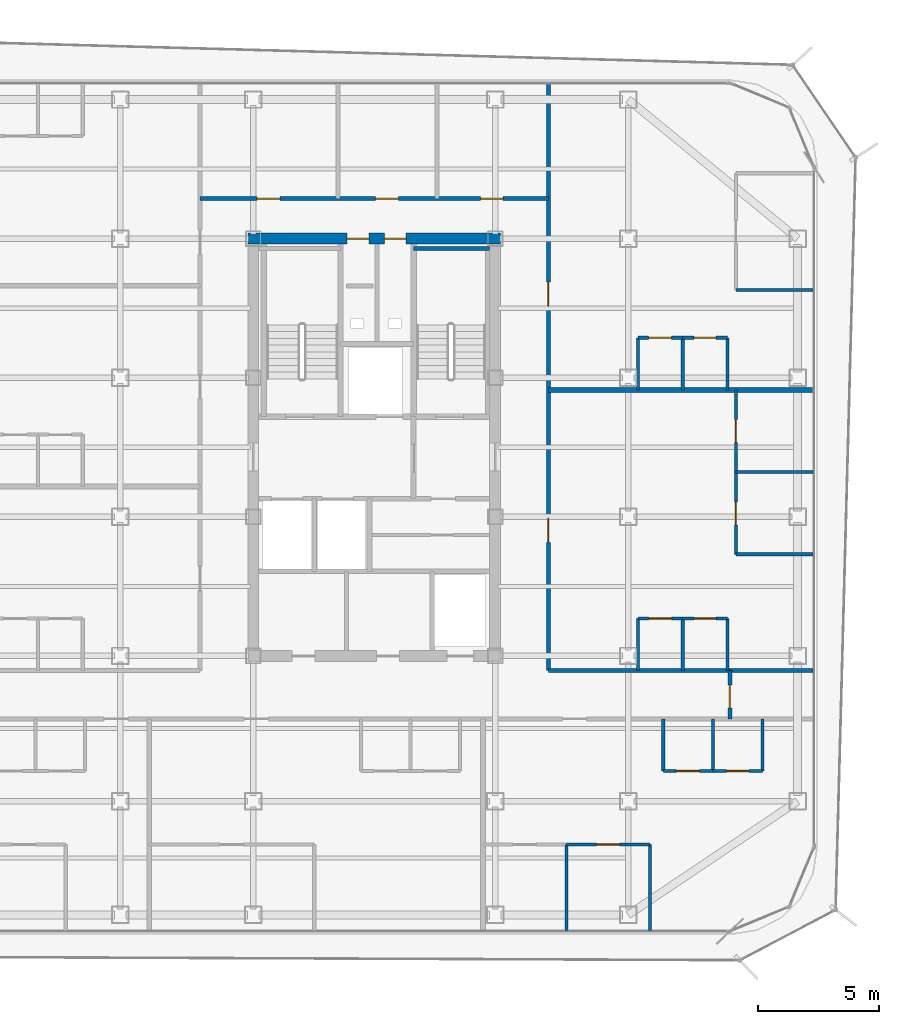
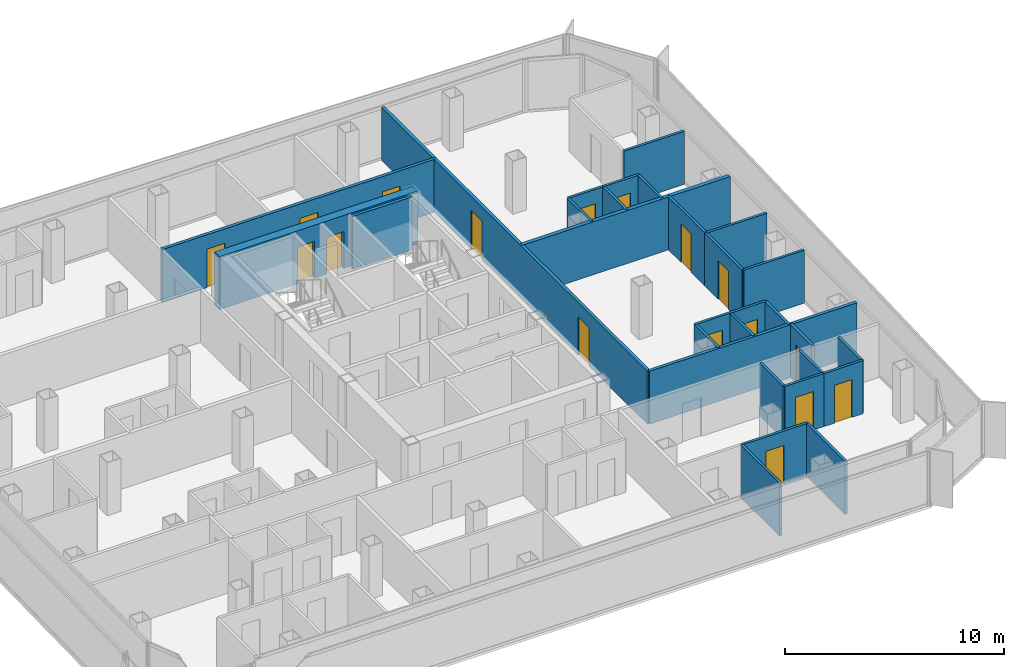
# One storey, part 12 of 16: 31 walls, 17 doors, 17 openings.
"""IFC4 building model written with IfcOpenShell, lengths in metres."""

from ifc_helpers import new_model, si_unit, direction, frame, frame_2d, origin, place, context, subcontext, project, spatial, rectangle, extrude, material, layer, layer_set, type_object, element, fill, save


model = new_model("IFC4")

# Units and contexts
model_context = context("Model", 3, precision=1e-05, world=origin(), true_north=direction((0.0, 1.0)))
body_context = subcontext(model_context, "Body", "Model", "MODEL_VIEW")
ifc_project = project(units=[si_unit("LENGTHUNIT", "METRE"), si_unit("AREAUNIT", "SQUARE_METRE"), si_unit("VOLUMEUNIT", "CUBIC_METRE"), si_unit("PLANEANGLEUNIT", "RADIAN"), si_unit("MASSUNIT", "GRAM", prefix="KILO")], contexts=[model_context])

# Site, building, storey
site_placement = place(None, origin())
site = spatial("IfcSite", under=ifc_project, at=site_placement, CompositionType="ELEMENT")
building_placement = place(site_placement, origin())
building = spatial("IfcBuilding", under=site, at=building_placement, Name="Kolveth Station Tower", CompositionType="ELEMENT")
storey_placement = place(building_placement, frame((0.0, 0.0, 159.300048828125)))
storey = spatial("IfcBuildingStorey", under=building, at=storey_placement, Name="L44", CompositionType="ELEMENT", Elevation=159.300048828125)

# Wall, openings, doors
ifc_material_1 = material(Name="Concrete C50/60", Category="concrete")
ifc_layer_1 = layer(ifc_material_1, 0.449951171875)
ifc_layer_set_1 = layer_set([ifc_layer_1], Name="Concrete C50/60")
wall_type_1 = type_object("IfcWallType", Name="Wall_CW-450", PredefinedType="SHEAR", material=ifc_layer_set_1)
wall_1_placement = place(storey_placement, frame((18.27490234375, 28.75, 0.0), z_axis=(0.0, 0.0, 1.0), x_axis=(1.0, 0.0, 0.0)))
wall_1 = element("IfcWall", 1, at=wall_1_placement, inside=storey, type_object=wall_type_1, Name="L44 Core RC Shear Wall N", PredefinedType="SHEAR", context=body_context, shape_type="SweptSolid", body=[
    extrude(rectangle(XDim=10.4501953125, YDim=0.449951171875, at=frame_2d((5.22509765625, 0.0))), origin(), (0.0, 0.0, 1.0), 2.949951171875),
])
opening_1_placement = place(wall_1_placement, frame((4.10498046875, 0.0, 0.0)))
opening_1 = element("IfcOpeningElement", 2, at=opening_1_placement, cuts=wall_1, Name="Opening RD1", PredefinedType="OPENING", context=body_context, shape_type="SweptSolid", body=[
    extrude(rectangle(XDim=0.89990234375, YDim=2.050048828125, at=frame_2d((0.449951171875, 1.02490234375))), frame((0.0, 0.23486328125, 0.0), z_axis=(0.0, -1.0, 0.0), x_axis=(1.0, 0.0, 0.0)), (0.0, 0.0, 1.0), 0.469970703125),
])
opening_2_placement = place(wall_1_placement, frame((5.64501953125, 0.0, 0.0)))
opening_2 = element("IfcOpeningElement", 3, at=opening_2_placement, cuts=wall_1, Name="Opening RD1", PredefinedType="OPENING", context=body_context, shape_type="SweptSolid", body=[
    extrude(rectangle(XDim=0.89990234375, YDim=2.050048828125, at=frame_2d((0.449951171875, 1.02490234375))), frame((0.0, 0.23486328125, 0.0), z_axis=(0.0, -1.0, 0.0), x_axis=(1.0, 0.0, 0.0)), (0.0, 0.0, 1.0), 0.469970703125),
])
ifc_material_2 = material(Name="Fire-rated Steel S355 riser access leaf", Category="steel")
door_type_1 = type_object("IfcDoorType", Name="Door_RD1", OperationType="NOTDEFINED", PredefinedType="DOOR", material=ifc_material_2)
door_1_placement = place(opening_1_placement, origin())
door_1 = element("IfcDoor", 4, at=door_1_placement, inside=storey, type_object=door_type_1, Name="L44 Electrical Riser Access Door", OperationType="SINGLE_SWING_LEFT", OverallHeight=2.050048828125, OverallWidth=0.89990234375, PredefinedType="DOOR", context=body_context, shape_type="SweptSolid", body=[
    extrude(rectangle(XDim=0.89990234375, YDim=2.050048828125, at=frame_2d((0.449951171875, 1.02490234375))), frame((0.0, 0.02490234375, 0.0), z_axis=(0.0, -1.0, 0.0), x_axis=(1.0, 0.0, 0.0)), (0.0, 0.0, 1.0), 0.050048828125),
])
fill(opening_1, door_1)
door_2_placement = place(opening_2_placement, origin())
door_2 = element("IfcDoor", 5, at=door_2_placement, inside=storey, type_object=door_type_1, Name="L44 Smoke Duct Access Door", OperationType="SINGLE_SWING_RIGHT", OverallHeight=2.050048828125, OverallWidth=0.89990234375, PredefinedType="DOOR", context=body_context, shape_type="SweptSolid", body=[
    extrude(rectangle(XDim=0.89990234375, YDim=2.050048828125, at=frame_2d((0.449951171875, 1.02490234375))), frame((0.0, 0.02490234375, 0.0), z_axis=(0.0, -1.0, 0.0), x_axis=(1.0, 0.0, 0.0)), (0.0, 0.0, 1.0), 0.050048828125),
])
fill(opening_2, door_2)

# Wall, opening, door
ifc_material_3 = material(Name="Moisture-resistant gypsum partition")
ifc_layer_2 = layer(ifc_material_3, 0.135009765625)
ifc_layer_set_2 = layer_set([ifc_layer_2], Name="Moisture-resistant gypsum partition")
wall_type_2 = type_object("IfcWallType", Name="Wall_IW-135", PredefinedType="PARTITIONING", material=ifc_layer_set_2)
wall_2_placement = place(storey_placement, frame((35.449951171875, 6.75, 0.0), z_axis=(0.0, 0.0, 1.0), x_axis=(1.0, 0.0, 0.0)))
wall_2 = element("IfcWall", 6, at=wall_2_placement, inside=storey, type_object=wall_type_2, Name="L44 Partition Wall WL-L44-A3-IBHK", PredefinedType="PARTITIONING", context=body_context, shape_type="SweptSolid", body=[
    extrude(rectangle(XDim=2.050048828125, YDim=0.135009765625, at=frame_2d((1.02490234375, 0.0))), origin(), (0.0, 0.0, 1.0), 2.949951171875),
])
opening_3_placement = place(wall_2_placement, frame((0.544921875, 0.0, 0.0)))
opening_3 = element("IfcOpeningElement", 7, at=opening_3_placement, cuts=wall_2, Name="Opening ID1", PredefinedType="OPENING", context=body_context, shape_type="SweptSolid", body=[
    extrude(rectangle(XDim=0.949951171875, YDim=2.14990234375, at=frame_2d((0.47509765625, 1.074951171875))), frame((0.0, 0.077392578125, 0.0), z_axis=(0.0, -1.0, 0.0), x_axis=(1.0, 0.0, 0.0)), (0.0, 0.0, 1.0), 0.155029296875),
])
ifc_material_4 = material(Name="Acoustic hardwood leaf and aluminium frame", Category="wood")
door_type_2 = type_object("IfcDoorType", Name="Door_ID1", OperationType="NOTDEFINED", PredefinedType="DOOR", material=ifc_material_4)
door_3_placement = place(opening_3_placement, origin())
door_3 = element("IfcDoor", 8, at=door_3_placement, inside=storey, type_object=door_type_2, Name="Penthouse Flat L44-A3 Kitchen Door", OperationType="SINGLE_SWING_RIGHT", OverallHeight=2.14990234375, OverallWidth=0.949951171875, PredefinedType="DOOR", context=body_context, shape_type="SweptSolid", body=[
    extrude(rectangle(XDim=0.949951171875, YDim=2.14990234375, at=frame_2d((0.47509765625, 1.074951171875))), frame((0.0, 0.02490234375, 0.0), z_axis=(0.0, -1.0, 0.0), x_axis=(1.0, 0.0, 0.0)), (0.0, 0.0, 1.0), 0.050048828125),
])
fill(opening_3, door_3)

wall_3_placement = place(storey_placement, frame((37.5, 6.75, 0.0), z_axis=(0.0, 0.0, 1.0), x_axis=(1.0, 0.0, 0.0)))
wall_3 = element("IfcWall", 9, at=wall_3_placement, inside=storey, type_object=wall_type_2, Name="L44 Partition Wall WL-L44-A3-IBHB", PredefinedType="PARTITIONING", context=body_context, shape_type="SweptSolid", body=[
    extrude(rectangle(XDim=2.050048828125, YDim=0.135009765625, at=frame_2d((1.02490234375, 0.0))), origin(), (0.0, 0.0, 1.0), 2.949951171875),
])
opening_4_placement = place(wall_3_placement, frame((0.56494140625, 0.0, 0.0)))
opening_4 = element("IfcOpeningElement", 10, at=opening_4_placement, cuts=wall_3, Name="Opening ID2", PredefinedType="OPENING", context=body_context, shape_type="SweptSolid", body=[
    extrude(rectangle(XDim=0.919921875, YDim=2.10009765625, at=frame_2d((0.4599609375, 1.050048828125))), frame((0.0, 0.077392578125, 0.0), z_axis=(0.0, -1.0, 0.0), x_axis=(1.0, 0.0, 0.0)), (0.0, 0.0, 1.0), 0.155029296875),
])
ifc_material_5 = material(Name="Moisture-resistant hardwood leaf", Category="wood")
door_type_3 = type_object("IfcDoorType", Name="Door_ID2", OperationType="NOTDEFINED", PredefinedType="DOOR", material=ifc_material_5)
door_4_placement = place(opening_4_placement, origin())
door_4 = element("IfcDoor", 11, at=door_4_placement, inside=storey, type_object=door_type_3, Name="Penthouse Flat L44-A3 Bathroom Door", OperationType="SINGLE_SWING_LEFT", OverallHeight=2.10009765625, OverallWidth=0.919921875, PredefinedType="DOOR", context=body_context, shape_type="SweptSolid", body=[
    extrude(rectangle(XDim=0.919921875, YDim=2.10009765625, at=frame_2d((0.4599609375, 1.050048828125))), frame((0.0, 0.02490234375, 0.0), z_axis=(0.0, -1.0, 0.0), x_axis=(1.0, 0.0, 0.0)), (0.0, 0.0, 1.0), 0.050048828125),
])
fill(opening_4, door_4)

# Walls
for number, where, z_axis, x_axis, name in (
    (12, (35.449951171875, 6.75, 0.0), (0.0, 0.0, 1.0), (0.0, 1.0, 0.0), "L44 Partition Wall WL-L44-A3-IBV0"),
    (13, (37.5, 6.75, 0.0), (0.0, 0.0, 1.0), (0.0, 1.0, 0.0), "L44 Partition Wall WL-L44-A3-IBV1"),
    (14, (39.550048828125, 6.75, 0.0), (0.0, 0.0, 1.0), (0.0, 1.0, 0.0), "L44 Partition Wall WL-L44-A3-IBV2"),
):
    element("IfcWall", number, at=place(storey_placement, frame(where, z_axis=z_axis, x_axis=x_axis)), inside=storey, type_object=wall_type_2, Name=name, PredefinedType="PARTITIONING", context=body_context, shape_type="SweptSolid", body=[
        extrude(rectangle(XDim=2.14990234375, YDim=0.135009765625, at=frame_2d((1.074951171875, 0.0))), origin(), (0.0, 0.0, 1.0), 2.949951171875),
    ])
wall_4_placement = place(storey_placement, frame((34.89990234375, 0.159912109375, 0.0), z_axis=(0.0, 0.0, 1.0), x_axis=(0.0, 1.0, 0.0)))
element("IfcWall", 15, at=wall_4_placement, inside=storey, type_object=wall_type_2, Name="L44 Partition Wall WL-L44-A3-BDVE", PredefinedType="PARTITIONING", context=body_context, shape_type="SweptSolid", body=[
    extrude(rectangle(XDim=3.550048828125, YDim=0.135009765625, at=frame_2d((1.77490234375, 0.0))), origin(), (0.0, 0.0, 1.0), 2.949951171875),
])

# Wall, opening, door
wall_5_placement = place(storey_placement, frame((31.449951171875, 3.7099609375, 0.0), z_axis=(0.0, 0.0, 1.0), x_axis=(1.0, 0.0, 0.0)))
wall_5 = element("IfcWall", 16, at=wall_5_placement, inside=storey, type_object=wall_type_2, Name="L44 Partition Wall WL-L44-A3-BDH2", PredefinedType="PARTITIONING", context=body_context, shape_type="SweptSolid", body=[
    extrude(rectangle(XDim=3.449951171875, YDim=0.135009765625, at=frame_2d((1.72509765625, 0.0))), origin(), (0.0, 0.0, 1.0), 2.949951171875),
])
opening_5_placement = place(wall_5_placement, frame((1.2451171875, 0.0, 0.0)))
opening_5 = element("IfcOpeningElement", 17, at=opening_5_placement, cuts=wall_5, Name="Opening ID1", PredefinedType="OPENING", context=body_context, shape_type="SweptSolid", body=[
    extrude(rectangle(XDim=0.949951171875, YDim=2.14990234375, at=frame_2d((0.47509765625, 1.074951171875))), frame((0.0, 0.077392578125, 0.0), z_axis=(0.0, -1.0, 0.0), x_axis=(1.0, 0.0, 0.0)), (0.0, 0.0, 1.0), 0.155029296875),
])
door_5_placement = place(opening_5_placement, frame((0.949951171875, 0.0, 0.0), z_axis=(0.0, 0.0, 1.0), x_axis=(-1.0, 0.0, 0.0)))
door_5 = element("IfcDoor", 18, at=door_5_placement, inside=storey, type_object=door_type_2, Name="Penthouse Flat L44-A3 Bedroom 2 Door", OperationType="SINGLE_SWING_LEFT", OverallHeight=2.14990234375, OverallWidth=0.949951171875, PredefinedType="DOOR", context=body_context, shape_type="SweptSolid", body=[
    extrude(rectangle(XDim=0.949951171875, YDim=2.14990234375, at=frame_2d((0.47509765625, 1.074951171875))), frame((0.0, 0.02490234375, 0.0), z_axis=(0.0, -1.0, 0.0), x_axis=(1.0, 0.0, 0.0)), (0.0, 0.0, 1.0), 0.050048828125),
])
fill(opening_5, door_5)

# Wall
wall_6_placement = place(storey_placement, frame((31.449951171875, 0.159912109375, 0.0), z_axis=(0.0, 0.0, 1.0), x_axis=(0.0, 1.0, 0.0)))
element("IfcWall", 19, at=wall_6_placement, inside=storey, type_object=wall_type_2, Name="L44 Partition Wall WL-L44-A3-BDV1", PredefinedType="PARTITIONING", context=body_context, shape_type="SweptSolid", body=[
    extrude(rectangle(XDim=3.550048828125, YDim=0.135009765625, at=frame_2d((1.77490234375, 0.0))), origin(), (0.0, 0.0, 1.0), 2.949951171875),
])

# Wall, opening, door
wall_7_placement = place(storey_placement, frame((34.39990234375, 13.050048828125, 0.0), z_axis=(0.0, 0.0, 1.0), x_axis=(1.0, 0.0, 0.0)))
wall_7 = element("IfcWall", 20, at=wall_7_placement, inside=storey, type_object=wall_type_2, Name="L44 Partition Wall WL-L44-E1-IBHK", PredefinedType="PARTITIONING", context=body_context, shape_type="SweptSolid", body=[
    extrude(rectangle(XDim=1.85009765625, YDim=0.135009765625, at=frame_2d((0.925048828125, 0.0))), origin(), (0.0, 0.0, 1.0), 2.949951171875),
])
opening_6_placement = place(wall_7_placement, frame((0.445068359375, 0.0, 0.0)))
opening_6 = element("IfcOpeningElement", 21, at=opening_6_placement, cuts=wall_7, Name="Opening ID1", PredefinedType="OPENING", context=body_context, shape_type="SweptSolid", body=[
    extrude(rectangle(XDim=0.949951171875, YDim=2.14990234375, at=frame_2d((0.47509765625, 1.074951171875))), frame((0.0, 0.077392578125, 0.0), z_axis=(0.0, -1.0, 0.0), x_axis=(1.0, 0.0, 0.0)), (0.0, 0.0, 1.0), 0.155029296875),
])
door_6_placement = place(opening_6_placement, origin())
door_6 = element("IfcDoor", 22, at=door_6_placement, inside=storey, type_object=door_type_2, Name="Penthouse Flat L44-E1 Kitchen Door", OperationType="SINGLE_SWING_LEFT", OverallHeight=2.14990234375, OverallWidth=0.949951171875, PredefinedType="DOOR", context=body_context, shape_type="SweptSolid", body=[
    extrude(rectangle(XDim=0.949951171875, YDim=2.14990234375, at=frame_2d((0.47509765625, 1.074951171875))), frame((0.0, 0.02490234375, 0.0), z_axis=(0.0, -1.0, 0.0), x_axis=(1.0, 0.0, 0.0)), (0.0, 0.0, 1.0), 0.050048828125),
])
fill(opening_6, door_6)

wall_8_placement = place(storey_placement, frame((36.25, 13.050048828125, 0.0), z_axis=(0.0, 0.0, 1.0), x_axis=(1.0, 0.0, 0.0)))
wall_8 = element("IfcWall", 23, at=wall_8_placement, inside=storey, type_object=wall_type_2, Name="L44 Partition Wall WL-L44-E1-IBHB", PredefinedType="PARTITIONING", context=body_context, shape_type="SweptSolid", body=[
    extrude(rectangle(XDim=1.85009765625, YDim=0.135009765625, at=frame_2d((0.925048828125, 0.0))), origin(), (0.0, 0.0, 1.0), 2.949951171875),
])
opening_7_placement = place(wall_8_placement, frame((0.465087890625, 0.0, 0.0)))
opening_7 = element("IfcOpeningElement", 24, at=opening_7_placement, cuts=wall_8, Name="Opening ID2", PredefinedType="OPENING", context=body_context, shape_type="SweptSolid", body=[
    extrude(rectangle(XDim=0.919921875, YDim=2.10009765625, at=frame_2d((0.4599609375, 1.050048828125))), frame((0.0, 0.077392578125, 0.0), z_axis=(0.0, -1.0, 0.0), x_axis=(1.0, 0.0, 0.0)), (0.0, 0.0, 1.0), 0.155029296875),
])
door_7_placement = place(opening_7_placement, origin())
door_7 = element("IfcDoor", 25, at=door_7_placement, inside=storey, type_object=door_type_3, Name="Penthouse Flat L44-E1 Bathroom Door", OperationType="SINGLE_SWING_RIGHT", OverallHeight=2.10009765625, OverallWidth=0.919921875, PredefinedType="DOOR", context=body_context, shape_type="SweptSolid", body=[
    extrude(rectangle(XDim=0.919921875, YDim=2.10009765625, at=frame_2d((0.4599609375, 1.050048828125))), frame((0.0, 0.02490234375, 0.0), z_axis=(0.0, -1.0, 0.0), x_axis=(1.0, 0.0, 0.0)), (0.0, 0.0, 1.0), 0.050048828125),
])
fill(opening_7, door_7)

# Walls
for number, where, z_axis, x_axis, name in (
    (26, (34.39990234375, 10.89990234375, 0.0), (0.0, 0.0, 1.0), (0.0, 1.0, 0.0), "L44 Partition Wall WL-L44-E1-IBV0"),
    (27, (36.25, 10.89990234375, 0.0), (0.0, 0.0, 1.0), (0.0, 1.0, 0.0), "L44 Partition Wall WL-L44-E1-IBV1"),
    (28, (38.10009765625, 10.89990234375, 0.0), (0.0, 0.0, 1.0), (0.0, 1.0, 0.0), "L44 Partition Wall WL-L44-E1-IBV2"),
):
    element("IfcWall", number, at=place(storey_placement, frame(where, z_axis=z_axis, x_axis=x_axis)), inside=storey, type_object=wall_type_2, Name=name, PredefinedType="PARTITIONING", context=body_context, shape_type="SweptSolid", body=[
        extrude(rectangle(XDim=2.150146484375, YDim=0.135009765625, at=frame_2d((1.0751953125, 0.0))), origin(), (0.0, 0.0, 1.0), 2.949951171875),
    ])
wall_9_placement = place(storey_placement, frame((38.449951171875, 15.699951171875, 0.0), z_axis=(0.0, 0.0, 1.0), x_axis=(1.0, 0.0, 0.0)))
element("IfcWall", 29, at=wall_9_placement, inside=storey, type_object=wall_type_2, Name="L44 Partition Wall WL-L44-E1-BDH0", PredefinedType="PARTITIONING", context=body_context, shape_type="SweptSolid", body=[
    extrude(rectangle(XDim=3.18994140625, YDim=0.135009765625, at=frame_2d((1.594970703125, 0.0))), origin(), (0.0, 0.0, 1.0), 2.949951171875),
])

# Wall, opening, door
wall_10_placement = place(storey_placement, frame((38.449951171875, 15.699951171875, 0.0), z_axis=(0.0, 0.0, 1.0), x_axis=(0.0, 1.0, 0.0)))
wall_10 = element("IfcWall", 30, at=wall_10_placement, inside=storey, type_object=wall_type_2, Name="L44 Partition Wall WL-L44-E1-BDV1", PredefinedType="PARTITIONING", context=body_context, shape_type="SweptSolid", body=[
    extrude(rectangle(XDim=3.400146484375, YDim=0.135009765625, at=frame_2d((1.7001953125, 0.0))), origin(), (0.0, 0.0, 1.0), 2.949951171875),
])
opening_8_placement = place(wall_10_placement, frame((1.219970703125, 0.0, 0.0)))
opening_8 = element("IfcOpeningElement", 31, at=opening_8_placement, cuts=wall_10, Name="Opening ID1", PredefinedType="OPENING", context=body_context, shape_type="SweptSolid", body=[
    extrude(rectangle(XDim=0.949951171875, YDim=2.14990234375, at=frame_2d((0.47509765625, 1.074951171875))), frame((0.0, 0.077392578125, 0.0), z_axis=(0.0, -1.0, 0.0), x_axis=(1.0, 0.0, 0.0)), (0.0, 0.0, 1.0), 0.155029296875),
])
door_8_placement = place(opening_8_placement, frame((0.949951171875, 0.0, 0.0), z_axis=(0.0, 0.0, 1.0), x_axis=(-1.0, 0.0, 0.0)))
door_8 = element("IfcDoor", 32, at=door_8_placement, inside=storey, type_object=door_type_2, Name="Penthouse Flat L44-E1 Bedroom 1 Door", OperationType="SINGLE_SWING_LEFT", OverallHeight=2.14990234375, OverallWidth=0.949951171875, PredefinedType="DOOR", context=body_context, shape_type="SweptSolid", body=[
    extrude(rectangle(XDim=0.949951171875, YDim=2.14990234375, at=frame_2d((0.47509765625, 1.074951171875))), frame((0.0, 0.02490234375, 0.0), z_axis=(0.0, -1.0, 0.0), x_axis=(1.0, 0.0, 0.0)), (0.0, 0.0, 1.0), 0.050048828125),
])
fill(opening_8, door_8)

wall_11_placement = place(storey_placement, frame((38.449951171875, 19.10009765625, 0.0), z_axis=(0.0, 0.0, 1.0), x_axis=(0.0, 1.0, 0.0)))
wall_11 = element("IfcWall", 33, at=wall_11_placement, inside=storey, type_object=wall_type_2, Name="L44 Partition Wall WL-L44-E1-BDV2", PredefinedType="PARTITIONING", context=body_context, shape_type="SweptSolid", body=[
    extrude(rectangle(XDim=3.39990234375, YDim=0.135009765625, at=frame_2d((1.699951171875, 0.0))), origin(), (0.0, 0.0, 1.0), 2.949951171875),
])
opening_9_placement = place(wall_11_placement, frame((1.219970703125, 0.0, 0.0)))
opening_9 = element("IfcOpeningElement", 34, at=opening_9_placement, cuts=wall_11, Name="Opening ID1", PredefinedType="OPENING", context=body_context, shape_type="SweptSolid", body=[
    extrude(rectangle(XDim=0.949951171875, YDim=2.14990234375, at=frame_2d((0.47509765625, 1.074951171875))), frame((0.0, 0.077392578125, 0.0), z_axis=(0.0, -1.0, 0.0), x_axis=(1.0, 0.0, 0.0)), (0.0, 0.0, 1.0), 0.155029296875),
])
door_9_placement = place(opening_9_placement, frame((0.949951171875, 0.0, 0.0), z_axis=(0.0, 0.0, 1.0), x_axis=(-1.0, 0.0, 0.0)))
door_9 = element("IfcDoor", 35, at=door_9_placement, inside=storey, type_object=door_type_2, Name="Penthouse Flat L44-E1 Bedroom 2 Door", OperationType="SINGLE_SWING_RIGHT", OverallHeight=2.14990234375, OverallWidth=0.949951171875, PredefinedType="DOOR", context=body_context, shape_type="SweptSolid", body=[
    extrude(rectangle(XDim=0.949951171875, YDim=2.14990234375, at=frame_2d((0.47509765625, 1.074951171875))), frame((0.0, 0.02490234375, 0.0), z_axis=(0.0, -1.0, 0.0), x_axis=(1.0, 0.0, 0.0)), (0.0, 0.0, 1.0), 0.050048828125),
])
fill(opening_9, door_9)

# Wall
wall_12_placement = place(storey_placement, frame((38.449951171875, 19.10009765625, 0.0), z_axis=(0.0, 0.0, 1.0), x_axis=(1.0, 0.0, 0.0)))
element("IfcWall", 36, at=wall_12_placement, inside=storey, type_object=wall_type_2, Name="L44 Partition Wall WL-L44-E1-BDH1", PredefinedType="PARTITIONING", context=body_context, shape_type="SweptSolid", body=[
    extrude(rectangle(XDim=3.18994140625, YDim=0.135009765625, at=frame_2d((1.594970703125, 0.0))), origin(), (0.0, 0.0, 1.0), 2.949951171875),
])

# Wall, opening, door
wall_13_placement = place(storey_placement, frame((34.39990234375, 24.64990234375, 0.0), z_axis=(0.0, 0.0, 1.0), x_axis=(1.0, 0.0, 0.0)))
wall_13 = element("IfcWall", 37, at=wall_13_placement, inside=storey, type_object=wall_type_2, Name="L44 Partition Wall WL-L44-E2-IBHK", PredefinedType="PARTITIONING", context=body_context, shape_type="SweptSolid", body=[
    extrude(rectangle(XDim=1.85009765625, YDim=0.135009765625, at=frame_2d((0.925048828125, 0.0))), origin(), (0.0, 0.0, 1.0), 2.949951171875),
])
opening_10_placement = place(wall_13_placement, frame((0.445068359375, 0.0, 0.0)))
opening_10 = element("IfcOpeningElement", 38, at=opening_10_placement, cuts=wall_13, Name="Opening ID1", PredefinedType="OPENING", context=body_context, shape_type="SweptSolid", body=[
    extrude(rectangle(XDim=0.949951171875, YDim=2.14990234375, at=frame_2d((0.47509765625, 1.074951171875))), frame((0.0, 0.077392578125, 0.0), z_axis=(0.0, -1.0, 0.0), x_axis=(1.0, 0.0, 0.0)), (0.0, 0.0, 1.0), 0.155029296875),
])
door_10_placement = place(opening_10_placement, origin())
door_10 = element("IfcDoor", 39, at=door_10_placement, inside=storey, type_object=door_type_2, Name="Penthouse Flat L44-E2 Kitchen Door", OperationType="SINGLE_SWING_LEFT", OverallHeight=2.14990234375, OverallWidth=0.949951171875, PredefinedType="DOOR", context=body_context, shape_type="SweptSolid", body=[
    extrude(rectangle(XDim=0.949951171875, YDim=2.14990234375, at=frame_2d((0.47509765625, 1.074951171875))), frame((0.0, 0.02490234375, 0.0), z_axis=(0.0, -1.0, 0.0), x_axis=(1.0, 0.0, 0.0)), (0.0, 0.0, 1.0), 0.050048828125),
])
fill(opening_10, door_10)

wall_14_placement = place(storey_placement, frame((36.25, 24.64990234375, 0.0), z_axis=(0.0, 0.0, 1.0), x_axis=(1.0, 0.0, 0.0)))
wall_14 = element("IfcWall", 40, at=wall_14_placement, inside=storey, type_object=wall_type_2, Name="L44 Partition Wall WL-L44-E2-IBHB", PredefinedType="PARTITIONING", context=body_context, shape_type="SweptSolid", body=[
    extrude(rectangle(XDim=1.85009765625, YDim=0.135009765625, at=frame_2d((0.925048828125, 0.0))), origin(), (0.0, 0.0, 1.0), 2.949951171875),
])
opening_11_placement = place(wall_14_placement, frame((0.465087890625, 0.0, 0.0)))
opening_11 = element("IfcOpeningElement", 41, at=opening_11_placement, cuts=wall_14, Name="Opening ID2", PredefinedType="OPENING", context=body_context, shape_type="SweptSolid", body=[
    extrude(rectangle(XDim=0.919921875, YDim=2.10009765625, at=frame_2d((0.4599609375, 1.050048828125))), frame((0.0, 0.077392578125, 0.0), z_axis=(0.0, -1.0, 0.0), x_axis=(1.0, 0.0, 0.0)), (0.0, 0.0, 1.0), 0.155029296875),
])
door_11_placement = place(opening_11_placement, origin())
door_11 = element("IfcDoor", 42, at=door_11_placement, inside=storey, type_object=door_type_3, Name="Penthouse Flat L44-E2 Bathroom Door", OperationType="SINGLE_SWING_LEFT", OverallHeight=2.10009765625, OverallWidth=0.919921875, PredefinedType="DOOR", context=body_context, shape_type="SweptSolid", body=[
    extrude(rectangle(XDim=0.919921875, YDim=2.10009765625, at=frame_2d((0.4599609375, 1.050048828125))), frame((0.0, 0.02490234375, 0.0), z_axis=(0.0, -1.0, 0.0), x_axis=(1.0, 0.0, 0.0)), (0.0, 0.0, 1.0), 0.050048828125),
])
fill(opening_11, door_11)

# Walls
for number, where, z_axis, x_axis, name in (
    (43, (34.39990234375, 22.5, 0.0), (0.0, 0.0, 1.0), (0.0, 1.0, 0.0), "L44 Partition Wall WL-L44-E2-IBV0"),
    (44, (36.25, 22.5, 0.0), (0.0, 0.0, 1.0), (0.0, 1.0, 0.0), "L44 Partition Wall WL-L44-E2-IBV1"),
    (45, (38.10009765625, 22.5, 0.0), (0.0, 0.0, 1.0), (0.0, 1.0, 0.0), "L44 Partition Wall WL-L44-E2-IBV2"),
):
    element("IfcWall", number, at=place(storey_placement, frame(where, z_axis=z_axis, x_axis=x_axis)), inside=storey, type_object=wall_type_2, Name=name, PredefinedType="PARTITIONING", context=body_context, shape_type="SweptSolid", body=[
        extrude(rectangle(XDim=2.14990234375, YDim=0.135009765625, at=frame_2d((1.074951171875, 0.0))), origin(), (0.0, 0.0, 1.0), 2.949951171875),
    ])
wall_15_placement = place(storey_placement, frame((38.449951171875, 26.6259765625, 0.0), z_axis=(0.0, 0.0, 1.0), x_axis=(1.0, 0.0, 0.0)))
element("IfcWall", 46, at=wall_15_placement, inside=storey, type_object=wall_type_2, Name="L44 Partition Wall WL-L44-E2-BDH0", PredefinedType="PARTITIONING", context=body_context, shape_type="SweptSolid", body=[
    extrude(rectangle(XDim=3.18994140625, YDim=0.135009765625, at=frame_2d((1.594970703125, 0.0))), origin(), (0.0, 0.0, 1.0), 2.949951171875),
])
ifc_material_6 = material(Name="Acoustic double-stud gypsum partition")
ifc_layer_3 = layer(ifc_material_6, 0.1650390625)
ifc_layer_set_3 = layer_set([ifc_layer_3], Name="Acoustic double-stud gypsum partition")
wall_type_3 = type_object("IfcWallType", Name="Wall_IW-165", PredefinedType="PARTITIONING", material=ifc_layer_set_3)
wall_16_placement = place(storey_placement, frame((25.1298828125, 28.3349609375, 0.0), z_axis=(0.0, 0.0, 1.0), x_axis=(1.0, 0.0, 0.0)))
element("IfcWall", 47, at=wall_16_placement, inside=storey, type_object=wall_type_3, Name="L44 Stair Shaft Wall WL-L44-ST2-N", PredefinedType="PARTITIONING", context=body_context, shape_type="SweptSolid", body=[
    extrude(rectangle(XDim=3.135009765625, YDim=0.1650390625, at=frame_2d((1.5673828125, 0.0))), origin(), (0.0, 0.0, 1.0), 2.949951171875),
])
wall_17_placement = place(storey_placement, frame((30.699951171875, 10.89990234375, 0.0), z_axis=(0.0, 0.0, 1.0), x_axis=(1.0, 0.0, 0.0)))
element("IfcWall", 48, at=wall_17_placement, inside=storey, type_object=wall_type_3, Name="L44 Partition Wall WL-L44-RSET", PredefinedType="PARTITIONING", context=body_context, shape_type="SweptSolid", body=[
    extrude(rectangle(XDim=7.5, YDim=0.1650390625, at=frame_2d((3.75, 0.0))), origin(), (0.0, 0.0, 1.0), 2.949951171875),
])

# Wall, opening, door
wall_18_placement = place(storey_placement, frame((38.199951171875, 8.89990234375, 0.0), z_axis=(0.0, 0.0, 1.0), x_axis=(0.0, 1.0, 0.0)))
wall_18 = element("IfcWall", 49, at=wall_18_placement, inside=storey, type_object=wall_type_3, Name="L44 Partition Wall WL-L44-RSEE", PredefinedType="PARTITIONING", context=body_context, shape_type="SweptSolid", body=[
    extrude(rectangle(XDim=2.0, YDim=0.1650390625, at=frame_2d((1.0, 0.0))), origin(), (0.0, 0.0, 1.0), 2.949951171875),
])
opening_12_placement = place(wall_18_placement, frame((0.449951171875, 0.0, 0.0)))
opening_12 = element("IfcOpeningElement", 50, at=opening_12_placement, cuts=wall_18, Name="Opening ID1", PredefinedType="OPENING", context=body_context, shape_type="SweptSolid", body=[
    extrude(rectangle(XDim=0.949951171875, YDim=2.14990234375, at=frame_2d((0.47509765625, 1.074951171875))), frame((0.0, 0.092529296875, 0.0), z_axis=(0.0, -1.0, 0.0), x_axis=(1.0, 0.0, 0.0)), (0.0, 0.0, 1.0), 0.18505859375),
])
door_12_placement = place(opening_12_placement, origin())
door_12 = element("IfcDoor", 51, at=door_12_placement, inside=storey, type_object=door_type_2, Name="L44 Hobby Study Door", OperationType="SINGLE_SWING_RIGHT", OverallHeight=2.14990234375, OverallWidth=0.949951171875, PredefinedType="DOOR", context=body_context, shape_type="SweptSolid", body=[
    extrude(rectangle(XDim=0.949951171875, YDim=2.14990234375, at=frame_2d((0.47509765625, 1.074951171875))), frame((0.0, 0.02490234375, 0.0), z_axis=(0.0, -1.0, 0.0), x_axis=(1.0, 0.0, 0.0)), (0.0, 0.0, 1.0), 0.050048828125),
])
fill(opening_12, door_12)

# Wall, openings, doors
wall_19_placement = place(storey_placement, frame((16.300048828125, 30.39990234375, 0.0), z_axis=(0.0, 0.0, 1.0), x_axis=(1.0, 0.0, 0.0)))
wall_19 = element("IfcWall", 52, at=wall_19_placement, inside=storey, type_object=wall_type_3, Name="L44 Partition Wall WL-L44-RN", PredefinedType="PARTITIONING", context=body_context, shape_type="SweptSolid", body=[
    extrude(rectangle(XDim=14.39990234375, YDim=0.1650390625, at=frame_2d((7.199951171875, 0.0))), origin(), (0.0, 0.0, 1.0), 2.949951171875),
])
opening_13_placement = place(wall_19_placement, frame((2.35009765625, 0.0, 0.0)))
opening_13 = element("IfcOpeningElement", 53, at=opening_13_placement, cuts=wall_19, Name="Opening ID1", PredefinedType="OPENING", context=body_context, shape_type="SweptSolid", body=[
    extrude(rectangle(XDim=0.949951171875, YDim=2.14990234375, at=frame_2d((0.47509765625, 1.074951171875))), frame((0.0, 0.092529296875, 0.0), z_axis=(0.0, -1.0, 0.0), x_axis=(1.0, 0.0, 0.0)), (0.0, 0.0, 1.0), 0.18505859375),
])
opening_14_placement = place(wall_19_placement, frame((7.25, 0.0, 0.0)))
opening_14 = element("IfcOpeningElement", 54, at=opening_14_placement, cuts=wall_19, Name="Opening ID1", PredefinedType="OPENING", context=body_context, shape_type="SweptSolid", body=[
    extrude(rectangle(XDim=0.949951171875, YDim=2.14990234375, at=frame_2d((0.47509765625, 1.074951171875))), frame((0.0, 0.092529296875, 0.0), z_axis=(0.0, -1.0, 0.0), x_axis=(1.0, 0.0, 0.0)), (0.0, 0.0, 1.0), 0.18505859375),
])
opening_15_placement = place(wall_19_placement, frame((11.60009765625, 0.0, 0.0)))
opening_15 = element("IfcOpeningElement", 55, at=opening_15_placement, cuts=wall_19, Name="Opening ID2", PredefinedType="OPENING", context=body_context, shape_type="SweptSolid", body=[
    extrude(rectangle(XDim=0.919921875, YDim=2.10009765625, at=frame_2d((0.4599609375, 1.050048828125))), frame((0.0, 0.092529296875, 0.0), z_axis=(0.0, -1.0, 0.0), x_axis=(1.0, 0.0, 0.0)), (0.0, 0.0, 1.0), 0.18505859375),
])
door_13_placement = place(opening_13_placement, origin())
door_13 = element("IfcDoor", 56, at=door_13_placement, inside=storey, type_object=door_type_2, Name="L44 Residents' Study Lounge Door", OperationType="SINGLE_SWING_RIGHT", OverallHeight=2.14990234375, OverallWidth=0.949951171875, PredefinedType="DOOR", context=body_context, shape_type="SweptSolid", body=[
    extrude(rectangle(XDim=0.949951171875, YDim=2.14990234375, at=frame_2d((0.47509765625, 1.074951171875))), frame((0.0, 0.02490234375, 0.0), z_axis=(0.0, -1.0, 0.0), x_axis=(1.0, 0.0, 0.0)), (0.0, 0.0, 1.0), 0.050048828125),
])
fill(opening_13, door_13)
door_14_placement = place(opening_14_placement, origin())
door_14 = element("IfcDoor", 57, at=door_14_placement, inside=storey, type_object=door_type_2, Name="L44 Residents' Linen Store Door", OperationType="SINGLE_SWING_LEFT", OverallHeight=2.14990234375, OverallWidth=0.949951171875, PredefinedType="DOOR", context=body_context, shape_type="SweptSolid", body=[
    extrude(rectangle(XDim=0.949951171875, YDim=2.14990234375, at=frame_2d((0.47509765625, 1.074951171875))), frame((0.0, 0.02490234375, 0.0), z_axis=(0.0, -1.0, 0.0), x_axis=(1.0, 0.0, 0.0)), (0.0, 0.0, 1.0), 0.050048828125),
])
fill(opening_14, door_14)
door_15_placement = place(opening_15_placement, origin())
door_15 = element("IfcDoor", 58, at=door_15_placement, inside=storey, type_object=door_type_3, Name="L44 Accessible Residents' WC Door", OperationType="SINGLE_SWING_RIGHT", OverallHeight=2.10009765625, OverallWidth=0.919921875, PredefinedType="DOOR", context=body_context, shape_type="SweptSolid", body=[
    extrude(rectangle(XDim=0.919921875, YDim=2.10009765625, at=frame_2d((0.4599609375, 1.050048828125))), frame((0.0, 0.02490234375, 0.0), z_axis=(0.0, -1.0, 0.0), x_axis=(1.0, 0.0, 0.0)), (0.0, 0.0, 1.0), 0.050048828125),
])
fill(opening_15, door_15)

wall_20_placement = place(storey_placement, frame((30.699951171875, 10.89990234375, 0.0), z_axis=(0.0, 0.0, 1.0), x_axis=(0.0, 1.0, 0.0)))
wall_20 = element("IfcWall", 59, at=wall_20_placement, inside=storey, type_object=wall_type_3, Name="L44 Partition Wall WL-L44-RE", PredefinedType="PARTITIONING", context=body_context, shape_type="SweptSolid", body=[
    extrude(rectangle(XDim=24.239990234375, YDim=0.1650390625, at=frame_2d((12.1201171875, 0.0))), origin(), (0.0, 0.0, 1.0), 2.949951171875),
])
opening_16_placement = place(wall_20_placement, frame((5.300048828125, 0.0, 0.0)))
opening_16 = element("IfcOpeningElement", 60, at=opening_16_placement, cuts=wall_20, Name="Opening FD3", PredefinedType="OPENING", context=body_context, shape_type="SweptSolid", body=[
    extrude(rectangle(XDim=1.0, YDim=2.14990234375, at=frame_2d((0.5, 1.074951171875))), frame((0.0, 0.092529296875, 0.0), z_axis=(0.0, -1.0, 0.0), x_axis=(1.0, 0.0, 0.0)), (0.0, 0.0, 1.0), 0.18505859375),
])
opening_17_placement = place(wall_20_placement, frame((15.050048828125, 0.0, 0.0)))
opening_17 = element("IfcOpeningElement", 61, at=opening_17_placement, cuts=wall_20, Name="Opening FD3", PredefinedType="OPENING", context=body_context, shape_type="SweptSolid", body=[
    extrude(rectangle(XDim=1.0, YDim=2.14990234375, at=frame_2d((0.5, 1.074951171875))), frame((0.0, 0.092529296875, 0.0), z_axis=(0.0, -1.0, 0.0), x_axis=(1.0, 0.0, 0.0)), (0.0, 0.0, 1.0), 0.18505859375),
])
ifc_material_7 = material(Name="Fire-rated hardwood leaf and aluminium frame", Category="wood")
door_type_4 = type_object("IfcDoorType", Name="Door_FD3", OperationType="NOTDEFINED", PredefinedType="DOOR", material=ifc_material_7)
door_16_placement = place(opening_16_placement, frame((1.0, 0.0, 0.0), z_axis=(0.0, 0.0, 1.0), x_axis=(-1.0, 0.0, 0.0)))
door_16 = element("IfcDoor", 62, at=door_16_placement, inside=storey, type_object=door_type_4, Name="Penthouse Flat L44-E1 Entrance Door", OperationType="SINGLE_SWING_LEFT", OverallHeight=2.14990234375, OverallWidth=1.0, PredefinedType="DOOR", context=body_context, shape_type="SweptSolid", body=[
    extrude(rectangle(XDim=1.0, YDim=2.14990234375, at=frame_2d((0.5, 1.074951171875))), frame((0.0, 0.02490234375, 0.0), z_axis=(0.0, -1.0, 0.0), x_axis=(1.0, 0.0, 0.0)), (0.0, 0.0, 1.0), 0.050048828125),
])
fill(opening_16, door_16)
door_17_placement = place(opening_17_placement, frame((1.0, 0.0, 0.0), z_axis=(0.0, 0.0, 1.0), x_axis=(-1.0, 0.0, 0.0)))
door_17 = element("IfcDoor", 63, at=door_17_placement, inside=storey, type_object=door_type_4, Name="Penthouse Flat L44-E2 Entrance Door", OperationType="SINGLE_SWING_LEFT", OverallHeight=2.14990234375, OverallWidth=1.0, PredefinedType="DOOR", context=body_context, shape_type="SweptSolid", body=[
    extrude(rectangle(XDim=1.0, YDim=2.14990234375, at=frame_2d((0.5, 1.074951171875))), frame((0.0, 0.02490234375, 0.0), z_axis=(0.0, -1.0, 0.0), x_axis=(1.0, 0.0, 0.0)), (0.0, 0.0, 1.0), 0.050048828125),
])
fill(opening_17, door_17)

# Walls
wall_21_placement = place(storey_placement, frame((38.199951171875, 10.89990234375, 0.0), z_axis=(0.0, 0.0, 1.0), x_axis=(1.0, 0.0, 0.0)))
element("IfcWall", 64, at=wall_21_placement, inside=storey, type_object=wall_type_3, Name="L44 Partition Wall WL-L44-ESTN", PredefinedType="PARTITIONING", context=body_context, shape_type="SweptSolid", body=[
    extrude(rectangle(XDim=3.43994140625, YDim=0.1650390625, at=frame_2d((1.719970703125, 0.0))), origin(), (0.0, 0.0, 1.0), 2.949951171875),
])
ifc_material_8 = material(Name="Acoustic fire-rated gypsum blockwork", Category="masonry")
ifc_layer_4 = layer(ifc_material_8, 0.199951171875)
ifc_layer_set_4 = layer_set([ifc_layer_4], Name="Acoustic fire-rated gypsum blockwork")
wall_type_4 = type_object("IfcWallType", Name="Wall_IW-200", PredefinedType="PARTITIONING", material=ifc_layer_set_4)
wall_22_placement = place(storey_placement, frame((30.699951171875, 22.5, 0.0), z_axis=(0.0, 0.0, 1.0), x_axis=(1.0, 0.0, 0.0)))
element("IfcWall", 65, at=wall_22_placement, inside=storey, type_object=wall_type_4, Name="L44 Partition Wall WL-L44-REU-1", PredefinedType="PARTITIONING", context=body_context, shape_type="SweptSolid", body=[
    extrude(rectangle(XDim=10.93994140625, YDim=0.199951171875, at=frame_2d((5.469970703125, 0.0))), origin(), (0.0, 0.0, 1.0), 2.949951171875),
])

save(model, "model.ifc")
